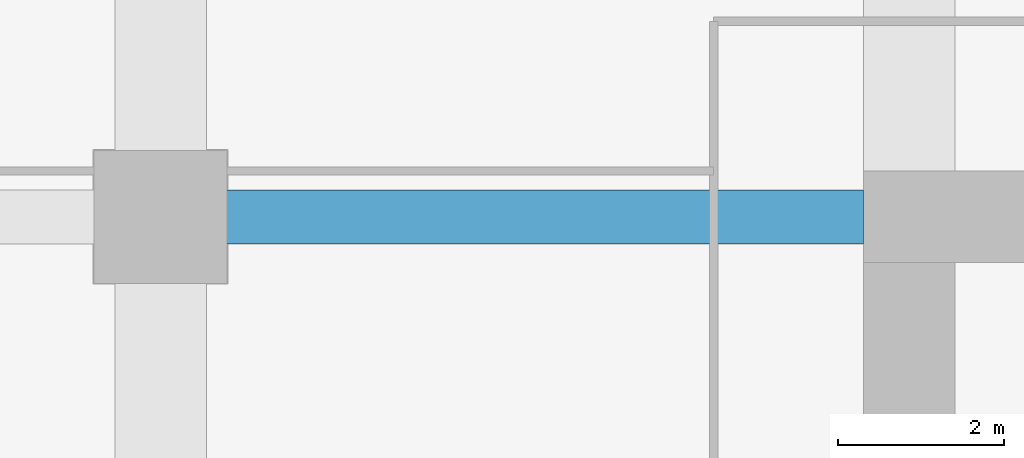
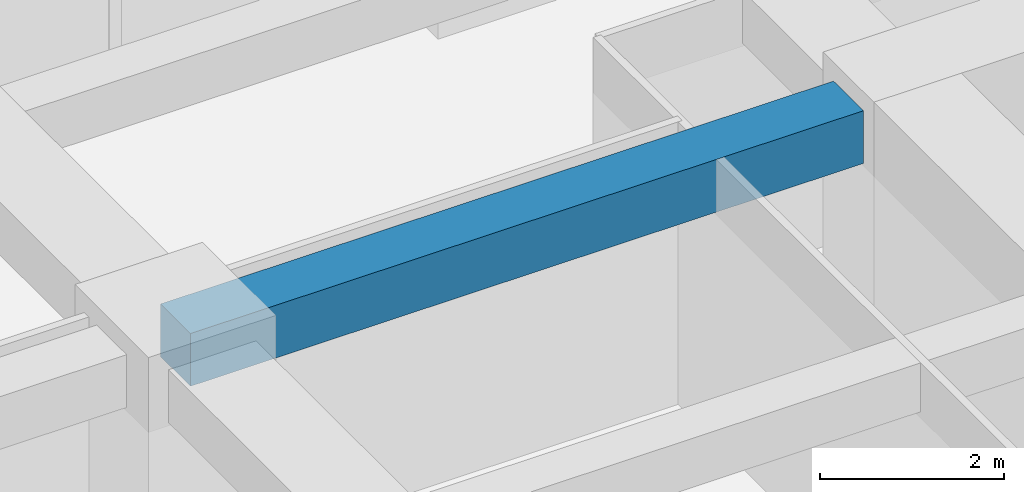
# One storey, part 21 of 32: 1 beam.
"""IFC4 building model written with IfcOpenShell, lengths in metres."""

from ifc_helpers import new_model, si_unit, direction, frame, origin, origin_2d, place, context, subcontext, project, spatial, rectangle, extrude, material, material_profile, profile_set, type_object, element, save


model = new_model("IFC4")

# Units and contexts
model_context = context("Model", 3, precision=1e-05, world=origin(), true_north=direction((0.0, 1.0)))
body_context = subcontext(model_context, "Body", "Model", "MODEL_VIEW")
ifc_project = project(units=[si_unit("LENGTHUNIT", "METRE"), si_unit("AREAUNIT", "SQUARE_METRE"), si_unit("VOLUMEUNIT", "CUBIC_METRE"), si_unit("PLANEANGLEUNIT", "RADIAN"), si_unit("MASSUNIT", "GRAM", prefix="KILO")], contexts=[model_context])

# Site, building, storey
site_placement = place(None, origin())
site = spatial("IfcSite", under=ifc_project, at=site_placement, CompositionType="ELEMENT")
building_placement = place(site_placement, origin())
building = spatial("IfcBuilding", under=site, at=building_placement, Name="Zorevar Civic Tower", CompositionType="ELEMENT")
storey_placement = place(building_placement, frame((0.0, 0.0, 182.199951171875)))
storey = spatial("IfcBuildingStorey", under=building, at=storey_placement, Name="L44", CompositionType="ELEMENT", Elevation=182.199951171875)

# Beam
ifc_material = material(Name="Concrete C50/60", Category="concrete")
ifc_material_profile = material_profile(ifc_material, rectangle(XDim=0.64990234375, YDim=0.699951171875, at=origin_2d()), Name="RC 650x700")
ifc_profile_set = profile_set([ifc_material_profile], Name="Concrete C50/60")
beam_type = type_object("IfcBeamType", Name="Beam RC 650x700", PredefinedType="BEAM", material=ifc_profile_set)
beam_placement = place(storey_placement, frame((9.0, 36.0, 3.400146484375), z_axis=(1.0, 0.0, 0.0), x_axis=(0.0, 1.0, 0.0)))
element("IfcBeam", 1, at=beam_placement, inside=storey, type_object=beam_type, Name="Girder L45", PredefinedType="BEAM", context=body_context, shape_type="SweptSolid", body=[
    extrude(rectangle(XDim=0.64990234375, YDim=0.699951171875, at=origin_2d()), origin(), (0.0, 0.0, 1.0), 8.449951171875),
])

save(model, "model.ifc")
